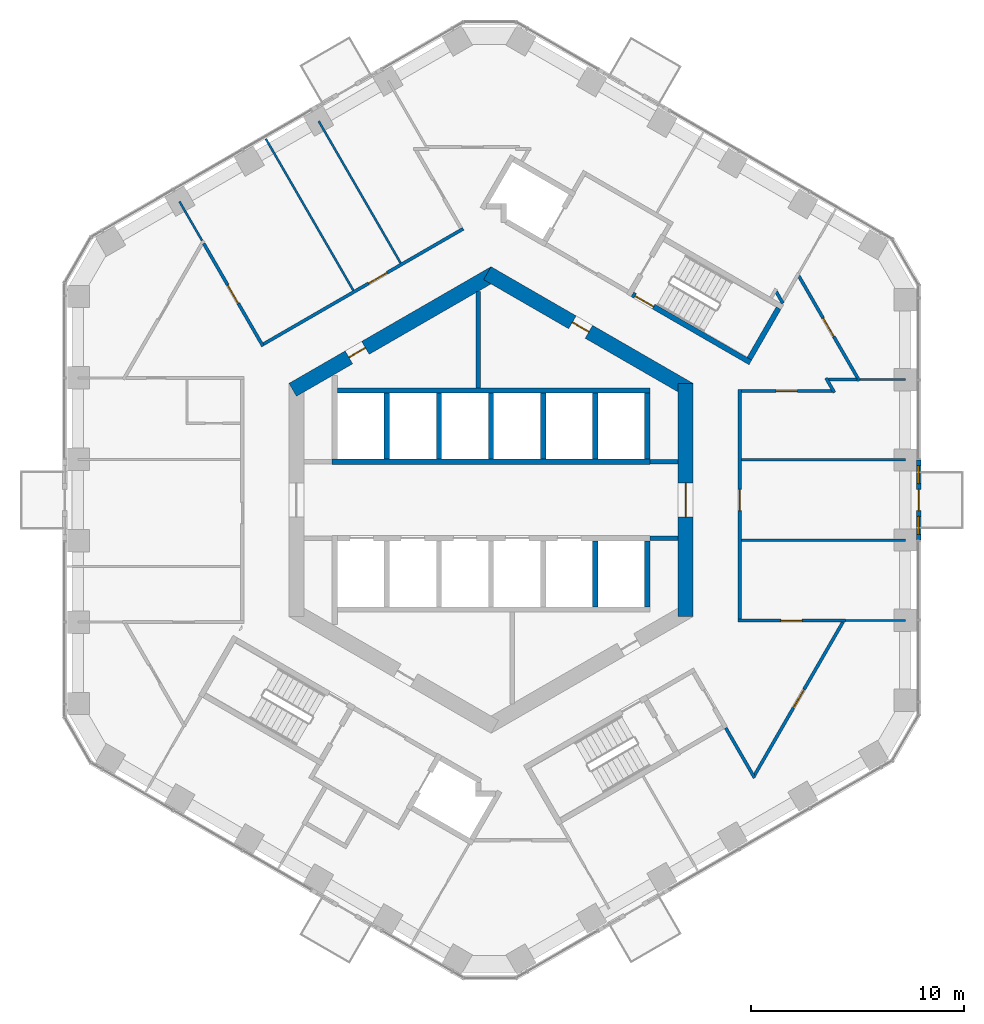
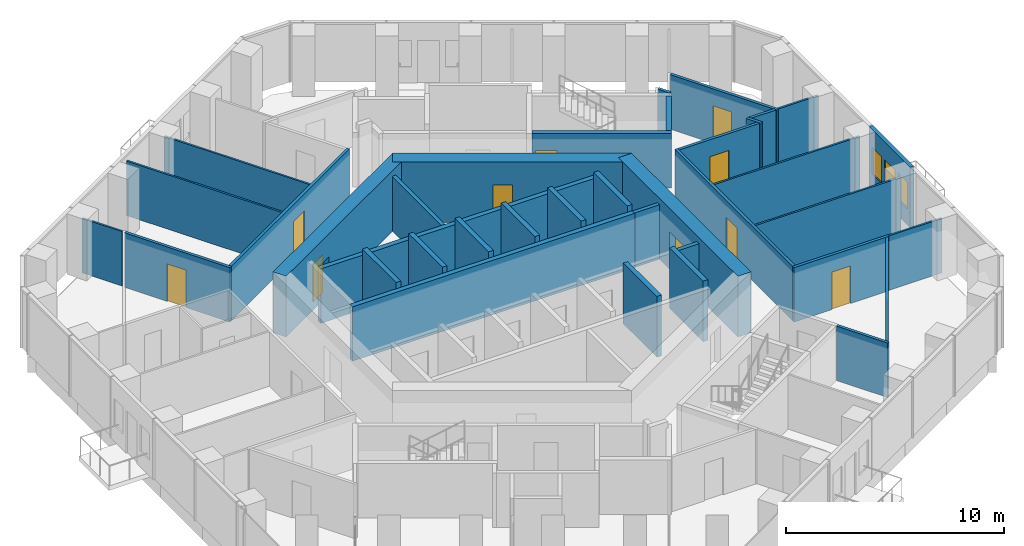
# One storey, part 15 of 20: 37 walls, 12 doors, 2 windows, 14 openings.
"""IFC4 building model written with IfcOpenShell, lengths in metres."""

from ifc_helpers import new_model, si_unit, direction, frame, frame_2d, origin, place, context, subcontext, project, spatial, rectangle, extrude, material, layer, layer_set, type_object, element, fill, save


model = new_model("IFC4")

# Units and contexts
model_context = context("Model", 3, precision=1e-05, world=origin(), true_north=direction((0.0, 1.0)))
body_context = subcontext(model_context, "Body", "Model", "MODEL_VIEW")
ifc_project = project(units=[si_unit("LENGTHUNIT", "METRE"), si_unit("AREAUNIT", "SQUARE_METRE"), si_unit("VOLUMEUNIT", "CUBIC_METRE"), si_unit("PLANEANGLEUNIT", "RADIAN"), si_unit("MASSUNIT", "GRAM", prefix="KILO")], contexts=[model_context])

# Site, building, storey
site_placement = place(None, origin())
site = spatial("IfcSite", under=ifc_project, at=site_placement, CompositionType="ELEMENT")
building_placement = place(site_placement, origin())
building = spatial("IfcBuilding", under=site, at=building_placement, Name="Ayvan Gate Tower", CompositionType="ELEMENT")
storey_placement = place(building_placement, frame((0.0, 0.0, 86.5)))
storey = spatial("IfcBuildingStorey", under=building, at=storey_placement, Name="L22", CompositionType="ELEMENT", Elevation=86.5)

# Wall, openings, door, windows
ifc_material_1 = material(Name="Insulated metal panel wall")
ifc_layer_1 = layer(ifc_material_1, 0.199951171875)
ifc_layer_set_1 = layer_set([ifc_layer_1], Name="Insulated metal panel wall")
wall_type_1 = type_object("IfcWallType", Name="Balcony door wall 200", PredefinedType="SOLIDWALL", material=ifc_layer_set_1)
wall_1_placement = place(storey_placement, frame((20.110595703125, -1.8828125, 0.0), z_axis=(0.0, 0.0, 1.0), x_axis=(0.0, 1.0, 0.0)))
wall_1 = element("IfcWall", 1, at=wall_1_placement, inside=storey, type_object=wall_type_1, Name="EW:L22:0:2", PredefinedType="SOLIDWALL", context=body_context, shape_type="SweptSolid", body=[
    extrude(rectangle(XDim=3.76611328125, YDim=0.199951171875, at=frame_2d((1.883056640625, 0.0))), origin(), (0.0, 0.0, 1.0), 3.39990234375),
])
opening_1_placement = place(wall_1_placement, frame((1.383056640625, 0.0, 0.0)))
opening_1 = element("IfcOpeningElement", 2, at=opening_1_placement, cuts=wall_1, Name="Opening L22-D90", PredefinedType="OPENING", context=body_context, shape_type="SweptSolid", body=[
    extrude(rectangle(XDim=1.0, YDim=2.39990234375, at=frame_2d((0.5, 1.199951171875))), frame((0.0, 0.10986328125, 0.0), z_axis=(0.0, -1.0, 0.0), x_axis=(1.0, 0.0, 0.0)), (0.0, 0.0, 1.0), 0.219970703125),
])
opening_2_placement = place(wall_1_placement, frame((0.2666015625, 0.0, 0.89990234375)))
opening_2 = element("IfcOpeningElement", 3, at=opening_2_placement, cuts=wall_1, Name="Opening W-B2", PredefinedType="OPENING", context=body_context, shape_type="SweptSolid", body=[
    extrude(rectangle(XDim=0.85009765625, YDim=1.5, at=frame_2d((0.425048828125, 0.75))), frame((0.0, 0.10986328125, 0.0), z_axis=(0.0, -1.0, 0.0), x_axis=(1.0, 0.0, 0.0)), (0.0, 0.0, 1.0), 0.219970703125),
])
opening_3_placement = place(wall_1_placement, frame((2.6494140625, 0.0, 0.89990234375)))
opening_3 = element("IfcOpeningElement", 4, at=opening_3_placement, cuts=wall_1, Name="Opening W-B2", PredefinedType="OPENING", context=body_context, shape_type="SweptSolid", body=[
    extrude(rectangle(XDim=0.85009765625, YDim=1.5, at=frame_2d((0.425048828125, 0.75))), frame((0.0, 0.10986328125, 0.0), z_axis=(0.0, -1.0, 0.0), x_axis=(1.0, 0.0, 0.0)), (0.0, 0.0, 1.0), 0.219970703125),
])
ifc_material_2 = material(Name="Bronze anodised aluminium and clear glass", Category="aluminium")
door_type_1 = type_object("IfcDoorType", Name="Balcony door D-B", OperationType="SINGLE_SWING_RIGHT", PredefinedType="DOOR", material=ifc_material_2)
door_1_placement = place(opening_1_placement, origin())
door_1 = element("IfcDoor", 5, at=door_1_placement, inside=storey, type_object=door_type_1, Name="Balcony door BAL-L22-0", OperationType="SINGLE_SWING_RIGHT", OverallHeight=2.39990234375, OverallWidth=1.0, PredefinedType="DOOR", context=body_context, shape_type="SweptSolid", body=[
    extrude(rectangle(XDim=1.0, YDim=2.39990234375, at=frame_2d((0.5, 1.199951171875))), frame((0.0, 0.02490234375, 0.0), z_axis=(0.0, -1.0, 0.0), x_axis=(1.0, 0.0, 0.0)), (0.0, 0.0, 1.0), 0.050048828125),
])
fill(opening_1, door_1)
window_type = type_object("IfcWindowType", Name="Balcony side light W-B Z2", PartitioningType="SINGLE_PANEL", PredefinedType="WINDOW", material=ifc_material_2)
window_1_placement = place(opening_2_placement, origin())
window_1 = element("IfcWindow", 6, at=window_1_placement, inside=storey, type_object=window_type, Name="Balcony side light BAL-L22-0.1", OverallHeight=1.5, OverallWidth=0.85009765625, PartitioningType="SINGLE_PANEL", PredefinedType="WINDOW", context=body_context, shape_type="SweptSolid", body=[
    extrude(rectangle(XDim=0.85009765625, YDim=1.5, at=frame_2d((0.425048828125, 0.75))), frame((0.0, 0.030029296875, 0.0), z_axis=(0.0, -1.0, 0.0), x_axis=(1.0, 0.0, 0.0)), (0.0, 0.0, 1.0), 0.06005859375),
])
fill(opening_2, window_1)
window_2_placement = place(opening_3_placement, origin())
window_2 = element("IfcWindow", 7, at=window_2_placement, inside=storey, type_object=window_type, Name="Balcony side light BAL-L22-0.2", OverallHeight=1.5, OverallWidth=0.85009765625, PartitioningType="SINGLE_PANEL", PredefinedType="WINDOW", context=body_context, shape_type="SweptSolid", body=[
    extrude(rectangle(XDim=0.85009765625, YDim=1.5, at=frame_2d((0.425048828125, 0.75))), frame((0.0, 0.030029296875, 0.0), z_axis=(0.0, -1.0, 0.0), x_axis=(1.0, 0.0, 0.0)), (0.0, 0.0, 1.0), 0.06005859375),
])
fill(opening_3, window_2)

# Wall, opening, door
ifc_material_3 = material(Name="Concrete C70/85", Category="concrete")
ifc_layer_2 = layer(ifc_material_3, 0.699951171875)
ifc_layer_set_2 = layer_set([ifc_layer_2], Name="Concrete C70/85")
wall_type_2 = type_object("IfcWallType", Name="Core wall 700 C70/85", PredefinedType="SHEAR", material=ifc_layer_set_2)
wall_2_placement = place(storey_placement, frame((9.14990234375, -5.48486328125, 0.0), z_axis=(0.0, 0.0, 1.0), x_axis=(0.0, 1.0, 0.0)))
wall_2 = element("IfcWall", 8, at=wall_2_placement, inside=storey, type_object=wall_type_2, Name="CORE-L22-0", PredefinedType="SHEAR", context=body_context, shape_type="SweptSolid", body=[
    extrude(rectangle(XDim=10.9697265625, YDim=0.699951171875, at=frame_2d((5.48486328125, 0.0))), origin(), (0.0, 0.0, 1.0), 3.39990234375),
])
opening_4_placement = place(wall_2_placement, frame((4.684814453125, 0.0, 0.0)))
opening_4 = element("IfcOpeningElement", 9, at=opening_4_placement, cuts=wall_2, Name="Opening L22-D100", PredefinedType="OPENING", context=body_context, shape_type="SweptSolid", body=[
    extrude(rectangle(XDim=1.60009765625, YDim=2.10009765625, at=frame_2d((0.800048828125, 1.050048828125))), frame((0.0, 0.35986328125, 0.0), z_axis=(0.0, -1.0, 0.0), x_axis=(1.0, 0.0, 0.0)), (0.0, 0.0, 1.0), 0.719970703125),
])
ifc_material_4 = material(Name="Timber door leaf", Category="wood")
door_type_2 = type_object("IfcDoorType", Name="DT-1600", OperationType="NOTDEFINED", PredefinedType="DOOR", material=ifc_material_4)
door_2_placement = place(opening_4_placement, origin())
door_2 = element("IfcDoor", 10, at=door_2_placement, inside=storey, type_object=door_type_2, Name="CD-L22-100", OperationType="SINGLE_SWING_RIGHT", OverallHeight=2.10009765625, OverallWidth=1.60009765625, PredefinedType="DOOR", context=body_context, shape_type="SweptSolid", body=[
    extrude(rectangle(XDim=1.60009765625, YDim=2.10009765625, at=frame_2d((0.800048828125, 1.050048828125))), frame((0.0, 0.02490234375, 0.0), z_axis=(0.0, -1.0, 0.0), x_axis=(1.0, 0.0, 0.0)), (0.0, 0.0, 1.0), 0.050048828125),
])
fill(opening_4, door_2)

wall_3_placement = place(storey_placement, frame((9.324951171875, 5.181640625, 0.0), z_axis=(0.0, 0.0, 1.0), x_axis=(-0.866023993627, 0.500002442456, 0.0)))
wall_3 = element("IfcWall", 11, at=wall_3_placement, inside=storey, type_object=wall_type_2, Name="CORE-L22-1", PredefinedType="SHEAR", context=body_context, shape_type="SweptSolid", body=[
    extrude(rectangle(XDim=10.9697265625, YDim=0.699951171875, at=frame_2d((5.48486328125, 0.0))), origin(), (0.0, 0.0, 1.0), 3.39990234375),
])
opening_5_placement = place(wall_3_placement, frame((5.451171875, 0.0, 0.0)))
opening_5 = element("IfcOpeningElement", 12, at=opening_5_placement, cuts=wall_3, Name="Opening L22-D97", PredefinedType="OPENING", context=body_context, shape_type="SweptSolid", body=[
    extrude(rectangle(XDim=0.89990234375, YDim=2.10009765625, at=frame_2d((0.449951171875, 1.050048828125))), frame((0.0, 0.35986328125, 0.0), z_axis=(0.0, -1.0, 0.0), x_axis=(1.0, 0.0, 0.0)), (0.0, 0.0, 1.0), 0.719970703125),
])
door_type_3 = type_object("IfcDoorType", Name="DT-900", OperationType="NOTDEFINED", PredefinedType="DOOR", material=ifc_material_4)
door_3_placement = place(opening_5_placement, origin())
door_3 = element("IfcDoor", 13, at=door_3_placement, inside=storey, type_object=door_type_3, Name="CD-L22-97", OperationType="SINGLE_SWING_LEFT", OverallHeight=2.10009765625, OverallWidth=0.89990234375, PredefinedType="DOOR", context=body_context, shape_type="SweptSolid", body=[
    extrude(rectangle(XDim=0.89990234375, YDim=2.10009765625, at=frame_2d((0.449951171875, 1.050048828125))), frame((0.0, 0.02490234375, 0.0), z_axis=(0.0, -1.0, 0.0), x_axis=(1.0, 0.0, 0.0)), (0.0, 0.0, 1.0), 0.050048828125),
])
fill(opening_5, door_3)

wall_4_placement = place(storey_placement, frame((0.175048828125, 10.66650390625, 0.0), z_axis=(0.0, 0.0, 1.0), x_axis=(-0.866023993627, -0.500002442456, 0.0)))
wall_4 = element("IfcWall", 14, at=wall_4_placement, inside=storey, type_object=wall_type_2, Name="CORE-L22-2", PredefinedType="SHEAR", context=body_context, shape_type="SweptSolid", body=[
    extrude(rectangle(XDim=10.9697265625, YDim=0.699951171875, at=frame_2d((5.48486328125, 0.0))), origin(), (0.0, 0.0, 1.0), 3.39990234375),
])
opening_6_placement = place(wall_4_placement, frame((7.021484375, 0.0, 0.0)))
opening_6 = element("IfcOpeningElement", 15, at=opening_6_placement, cuts=wall_4, Name="Opening L22-D96", PredefinedType="OPENING", context=body_context, shape_type="SweptSolid", body=[
    extrude(rectangle(XDim=0.89990234375, YDim=2.10009765625, at=frame_2d((0.449951171875, 1.050048828125))), frame((0.0, 0.35986328125, 0.0), z_axis=(0.0, -1.0, 0.0), x_axis=(1.0, 0.0, 0.0)), (0.0, 0.0, 1.0), 0.719970703125),
])
door_4_placement = place(opening_6_placement, origin())
door_4 = element("IfcDoor", 16, at=door_4_placement, inside=storey, type_object=door_type_3, Name="CD-L22-96", OperationType="SINGLE_SWING_RIGHT", OverallHeight=2.10009765625, OverallWidth=0.89990234375, PredefinedType="DOOR", context=body_context, shape_type="SweptSolid", body=[
    extrude(rectangle(XDim=0.89990234375, YDim=2.10009765625, at=frame_2d((0.449951171875, 1.050048828125))), frame((0.0, 0.02490234375, 0.0), z_axis=(0.0, -1.0, 0.0), x_axis=(1.0, 0.0, 0.0)), (0.0, 0.0, 1.0), 0.050048828125),
])
fill(opening_6, door_4)

ifc_material_5 = material(Name="Plasterboard on steel stud", Category="steel")
ifc_layer_3 = layer(ifc_material_5, 0.14990234375)
ifc_layer_set_3 = layer_set([ifc_layer_3], Name="Plasterboard on steel stud")
wall_type_3 = type_object("IfcWallType", Name="WT-CORR-150", PredefinedType="PARTITIONING", material=ifc_layer_set_3)
wall_5_placement = place(storey_placement, frame((-13.513671875, 12.06689453125, 0.0), z_axis=(0.0, 0.0, 1.0), x_axis=(0.499996303812, -0.866027537769, 0.0)))
wall_5 = element("IfcWall", 17, at=wall_5_placement, inside=storey, type_object=wall_type_3, Name="IW-L22-012", PredefinedType="PARTITIONING", context=body_context, shape_type="SweptSolid", body=[
    extrude(rectangle(XDim=5.58203125, YDim=0.14990234375, at=frame_2d((2.791015625, 0.0))), origin(), (0.0, 0.0, 1.0), 3.050048828125),
])
opening_7_placement = place(wall_5_placement, frame((2.253662109375, 0.0, 0.0)))
opening_7 = element("IfcOpeningElement", 18, at=opening_7_placement, cuts=wall_5, Name="Opening L22-D36", PredefinedType="OPENING", context=body_context, shape_type="SweptSolid", body=[
    extrude(rectangle(XDim=1.0, YDim=2.10009765625, at=frame_2d((0.5, 1.050048828125))), frame((0.0, 0.0849609375, 0.0), z_axis=(0.0, -1.0, 0.0), x_axis=(1.0, 0.0, 0.0)), (0.0, 0.0, 1.0), 0.169921875),
])
door_type_4 = type_object("IfcDoorType", Name="DT-1000", OperationType="NOTDEFINED", PredefinedType="DOOR", material=ifc_material_4)
door_5_placement = place(opening_7_placement, origin())
door_5 = element("IfcDoor", 19, at=door_5_placement, inside=storey, type_object=door_type_4, Name="ID-L22-036", OperationType="SINGLE_SWING_RIGHT", OverallHeight=2.10009765625, OverallWidth=1.0, PredefinedType="DOOR", context=body_context, shape_type="SweptSolid", body=[
    extrude(rectangle(XDim=1.0, YDim=2.10009765625, at=frame_2d((0.5, 1.050048828125))), frame((0.0, 0.02490234375, 0.0), z_axis=(0.0, -1.0, 0.0), x_axis=(1.0, 0.0, 0.0)), (0.0, 0.0, 1.0), 0.050048828125),
])
fill(opening_7, door_5)

wall_6_placement = place(storey_placement, frame((-10.695068359375, 7.335205078125, 0.0), z_axis=(0.0, 0.0, 1.0), x_axis=(0.866020922188, 0.500007762273, 0.0)))
wall_6 = element("IfcWall", 20, at=wall_6_placement, inside=storey, type_object=wall_type_3, Name="IW-L22-017", PredefinedType="PARTITIONING", context=body_context, shape_type="SweptSolid", body=[
    extrude(rectangle(XDim=10.839111328125, YDim=0.14990234375, at=frame_2d((5.41943359375, 0.0))), origin(), (0.0, 0.0, 1.0), 3.050048828125),
])
opening_8_placement = place(wall_6_placement, frame((5.699462890625, 0.0, 0.0)))
opening_8 = element("IfcOpeningElement", 21, at=opening_8_placement, cuts=wall_6, Name="Opening L22-D35", PredefinedType="OPENING", context=body_context, shape_type="SweptSolid", body=[
    extrude(rectangle(XDim=1.0, YDim=2.10009765625, at=frame_2d((0.5, 1.050048828125))), frame((0.0, 0.0849609375, 0.0), z_axis=(0.0, -1.0, 0.0), x_axis=(1.0, 0.0, 0.0)), (0.0, 0.0, 1.0), 0.169921875),
])
door_6_placement = place(opening_8_placement, origin())
door_6 = element("IfcDoor", 22, at=door_6_placement, inside=storey, type_object=door_type_4, Name="ID-L22-035", OperationType="SINGLE_SWING_LEFT", OverallHeight=2.10009765625, OverallWidth=1.0, PredefinedType="DOOR", context=body_context, shape_type="SweptSolid", body=[
    extrude(rectangle(XDim=1.0, YDim=2.10009765625, at=frame_2d((0.5, 1.050048828125))), frame((0.0, 0.02490234375, 0.0), z_axis=(0.0, -1.0, 0.0), x_axis=(1.0, 0.0, 0.0)), (0.0, 0.0, 1.0), 0.050048828125),
])
fill(opening_8, door_6)

wall_7_placement = place(storey_placement, frame((11.625, -5.669677734375, 0.0), z_axis=(0.0, 0.0, 1.0), x_axis=(1.0, 0.0, 0.0)))
wall_7 = element("IfcWall", 23, at=wall_7_placement, inside=storey, type_object=wall_type_3, Name="IW-L22-093", PredefinedType="PARTITIONING", context=body_context, shape_type="SweptSolid", body=[
    extrude(rectangle(XDim=5.039306640625, YDim=0.14990234375, at=frame_2d((2.51953125, 0.0))), origin(), (0.0, 0.0, 1.0), 3.050048828125),
])
opening_9_placement = place(wall_7_placement, frame((2.00244140625, 0.0, 0.0)))
opening_9 = element("IfcOpeningElement", 24, at=opening_9_placement, cuts=wall_7, Name="Opening L22-D17", PredefinedType="OPENING", context=body_context, shape_type="SweptSolid", body=[
    extrude(rectangle(XDim=1.0, YDim=2.10009765625, at=frame_2d((0.5, 1.050048828125))), frame((0.0, 0.0849609375, 0.0), z_axis=(0.0, -1.0, 0.0), x_axis=(1.0, 0.0, 0.0)), (0.0, 0.0, 1.0), 0.169921875),
])
door_7_placement = place(opening_9_placement, origin())
door_7 = element("IfcDoor", 25, at=door_7_placement, inside=storey, type_object=door_type_4, Name="ID-L22-017", OperationType="SINGLE_SWING_LEFT", OverallHeight=2.10009765625, OverallWidth=1.0, PredefinedType="DOOR", context=body_context, shape_type="SweptSolid", body=[
    extrude(rectangle(XDim=1.0, YDim=2.10009765625, at=frame_2d((0.5, 1.050048828125))), frame((0.0, 0.02490234375, 0.0), z_axis=(0.0, -1.0, 0.0), x_axis=(1.0, 0.0, 0.0)), (0.0, 0.0, 1.0), 0.050048828125),
])
fill(opening_9, door_7)

wall_8_placement = place(storey_placement, frame((11.699951171875, -5.5947265625, 0.0), z_axis=(0.0, 0.0, 1.0), x_axis=(0.0, 1.0, 0.0)))
wall_8 = element("IfcWall", 26, at=wall_8_placement, inside=storey, type_object=wall_type_3, Name="IW-L22-094", PredefinedType="PARTITIONING", context=body_context, shape_type="SweptSolid", body=[
    extrude(rectangle(XDim=10.789306640625, YDim=0.14990234375, at=frame_2d((5.39453125, 0.0))), origin(), (0.0, 0.0, 1.0), 3.050048828125),
])
opening_10_placement = place(wall_8_placement, frame((5.0947265625, 0.0, 0.0)))
opening_10 = element("IfcOpeningElement", 27, at=opening_10_placement, cuts=wall_8, Name="Opening L22-D18", PredefinedType="OPENING", context=body_context, shape_type="SweptSolid", body=[
    extrude(rectangle(XDim=1.0, YDim=2.10009765625, at=frame_2d((0.5, 1.050048828125))), frame((0.0, 0.0849609375, 0.0), z_axis=(0.0, -1.0, 0.0), x_axis=(1.0, 0.0, 0.0)), (0.0, 0.0, 1.0), 0.169921875),
])
door_8_placement = place(opening_10_placement, origin())
door_8 = element("IfcDoor", 28, at=door_8_placement, inside=storey, type_object=door_type_4, Name="ID-L22-018", OperationType="SINGLE_SWING_RIGHT", OverallHeight=2.10009765625, OverallWidth=1.0, PredefinedType="DOOR", context=body_context, shape_type="SweptSolid", body=[
    extrude(rectangle(XDim=1.0, YDim=2.10009765625, at=frame_2d((0.5, 1.050048828125))), frame((0.0, 0.02490234375, 0.0), z_axis=(0.0, -1.0, 0.0), x_axis=(1.0, 0.0, 0.0)), (0.0, 0.0, 1.0), 0.050048828125),
])
fill(opening_10, door_8)

# Walls
wall_9_placement = place(storey_placement, frame((12.393798828125, -13.066650390625, 0.0), z_axis=(0.0, 0.0, 1.0), x_axis=(-0.499971721724, 0.866041729639, 0.0)))
element("IfcWall", 29, at=wall_9_placement, inside=storey, type_object=wall_type_3, Name="IW-L22-098", PredefinedType="PARTITIONING", context=body_context, shape_type="SweptSolid", body=[
    extrude(rectangle(XDim=2.713134765625, YDim=0.14990234375, at=frame_2d((1.3564453125, 0.0))), origin(), (0.0, 0.0, 1.0), 3.050048828125),
])
wall_10_placement = place(storey_placement, frame((13.409423828125, 9.7958984375, 0.0), z_axis=(0.0, 0.0, 1.0), x_axis=(0.500232755635, -0.865890980545, 0.0)))
element("IfcWall", 30, at=wall_10_placement, inside=storey, type_object=wall_type_3, Name="IW-L22-100", PredefinedType="PARTITIONING", context=body_context, shape_type="SweptSolid", body=[
    extrude(rectangle(XDim=0.635009765625, YDim=0.14990234375, at=frame_2d((0.3173828125, 0.0))), origin(), (0.0, 0.0, 1.0), 3.050048828125),
])

# Wall, opening, door
wall_11_placement = place(storey_placement, frame((14.47216796875, 10.53662109375, 0.0), z_axis=(0.0, 0.0, 1.0), x_axis=(0.499998302717, -0.866026383709, 0.0)))
wall_11 = element("IfcWall", 31, at=wall_11_placement, inside=storey, type_object=wall_type_3, Name="IW-L22-104", PredefinedType="PARTITIONING", context=body_context, shape_type="SweptSolid", body=[
    extrude(rectangle(XDim=5.69482421875, YDim=0.14990234375, at=frame_2d((2.847412109375, 0.0))), origin(), (0.0, 0.0, 1.0), 3.050048828125),
])
opening_11_placement = place(wall_11_placement, frame((2.292724609375, 0.0, 0.0)))
opening_11 = element("IfcOpeningElement", 32, at=opening_11_placement, cuts=wall_11, Name="Opening L22-D20", PredefinedType="OPENING", context=body_context, shape_type="SweptSolid", body=[
    extrude(rectangle(XDim=1.0, YDim=2.10009765625, at=frame_2d((0.5, 1.050048828125))), frame((0.0, 0.0849609375, 0.0), z_axis=(0.0, -1.0, 0.0), x_axis=(1.0, 0.0, 0.0)), (0.0, 0.0, 1.0), 0.169921875),
])
door_9_placement = place(opening_11_placement, origin())
door_9 = element("IfcDoor", 33, at=door_9_placement, inside=storey, type_object=door_type_4, Name="ID-L22-020", OperationType="SINGLE_SWING_RIGHT", OverallHeight=2.10009765625, OverallWidth=1.0, PredefinedType="DOOR", context=body_context, shape_type="SweptSolid", body=[
    extrude(rectangle(XDim=1.0, YDim=2.10009765625, at=frame_2d((0.5, 1.050048828125))), frame((0.0, 0.02490234375, 0.0), z_axis=(0.0, -1.0, 0.0), x_axis=(1.0, 0.0, 0.0)), (0.0, 0.0, 1.0), 0.050048828125),
])
fill(opening_11, door_9)

# Wall
wall_12_placement = place(storey_placement, frame((15.75439453125, 5.734619140625, 0.0), z_axis=(0.0, 0.0, 1.0), x_axis=(0.500018540756, -0.866014699009, 0.0)))
element("IfcWall", 34, at=wall_12_placement, inside=storey, type_object=wall_type_3, Name="IW-L22-105", PredefinedType="PARTITIONING", context=body_context, shape_type="SweptSolid", body=[
    extrude(rectangle(XDim=0.78515625, YDim=0.14990234375, at=frame_2d((0.392578125, 0.0))), origin(), (0.0, 0.0, 1.0), 3.050048828125),
])

# Wall, opening, door
wall_13_placement = place(storey_placement, frame((16.034423828125, 5.11962890625, 0.0), z_axis=(0.0, 0.0, 1.0), x_axis=(-1.0, 0.0, 0.0)))
wall_13 = element("IfcWall", 35, at=wall_13_placement, inside=storey, type_object=wall_type_3, Name="IW-L22-106", PredefinedType="PARTITIONING", context=body_context, shape_type="SweptSolid", body=[
    extrude(rectangle(XDim=4.259521484375, YDim=0.14990234375, at=frame_2d((2.1298828125, 0.0))), origin(), (0.0, 0.0, 1.0), 3.050048828125),
])
opening_12_placement = place(wall_13_placement, frame((1.629638671875, 0.0, 0.0)))
opening_12 = element("IfcOpeningElement", 36, at=opening_12_placement, cuts=wall_13, Name="Opening L22-D19", PredefinedType="OPENING", context=body_context, shape_type="SweptSolid", body=[
    extrude(rectangle(XDim=1.0, YDim=2.10009765625, at=frame_2d((0.5, 1.050048828125))), frame((0.0, 0.0849609375, 0.0), z_axis=(0.0, -1.0, 0.0), x_axis=(1.0, 0.0, 0.0)), (0.0, 0.0, 1.0), 0.169921875),
])
door_10_placement = place(opening_12_placement, origin())
door_10 = element("IfcDoor", 37, at=door_10_placement, inside=storey, type_object=door_type_4, Name="ID-L22-019", OperationType="SINGLE_SWING_LEFT", OverallHeight=2.10009765625, OverallWidth=1.0, PredefinedType="DOOR", context=body_context, shape_type="SweptSolid", body=[
    extrude(rectangle(XDim=1.0, YDim=2.10009765625, at=frame_2d((0.5, 1.050048828125))), frame((0.0, 0.02490234375, 0.0), z_axis=(0.0, -1.0, 0.0), x_axis=(1.0, 0.0, 0.0)), (0.0, 0.0, 1.0), 0.050048828125),
])
fill(opening_12, door_10)

wall_14_placement = place(storey_placement, frame((16.552001953125, -5.734619140625, 0.0), z_axis=(0.0, 0.0, 1.0), x_axis=(-0.500003678222, -0.866023280152, 0.0)))
wall_14 = element("IfcWall", 38, at=wall_14_placement, inside=storey, type_object=wall_type_3, Name="IW-L22-107", PredefinedType="PARTITIONING", context=body_context, shape_type="SweptSolid", body=[
    extrude(rectangle(XDim=8.31640625, YDim=0.14990234375, at=frame_2d((4.158203125, 0.0))), origin(), (0.0, 0.0, 1.0), 3.050048828125),
])
opening_13_placement = place(wall_14_placement, frame((3.658203125, 0.0, 0.0)))
opening_13 = element("IfcOpeningElement", 39, at=opening_13_placement, cuts=wall_14, Name="Opening L22-D33", PredefinedType="OPENING", context=body_context, shape_type="SweptSolid", body=[
    extrude(rectangle(XDim=1.0, YDim=2.10009765625, at=frame_2d((0.5, 1.050048828125))), frame((0.0, 0.0849609375, 0.0), z_axis=(0.0, -1.0, 0.0), x_axis=(1.0, 0.0, 0.0)), (0.0, 0.0, 1.0), 0.169921875),
])
door_11_placement = place(opening_13_placement, origin())
door_11 = element("IfcDoor", 40, at=door_11_placement, inside=storey, type_object=door_type_4, Name="ID-L22-033", OperationType="SINGLE_SWING_LEFT", OverallHeight=2.10009765625, OverallWidth=1.0, PredefinedType="DOOR", context=body_context, shape_type="SweptSolid", body=[
    extrude(rectangle(XDim=1.0, YDim=2.10009765625, at=frame_2d((0.5, 1.050048828125))), frame((0.0, 0.02490234375, 0.0), z_axis=(0.0, -1.0, 0.0), x_axis=(1.0, 0.0, 0.0)), (0.0, 0.0, 1.0), 0.050048828125),
])
fill(opening_13, door_11)

# Walls
wall_15_placement = place(storey_placement, frame((17.207275390625, 5.669677734375, 0.0), z_axis=(0.0, 0.0, 1.0), x_axis=(-1.0, 0.0, 0.0)))
element("IfcWall", 41, at=wall_15_placement, inside=storey, type_object=wall_type_3, Name="IW-L22-108", PredefinedType="PARTITIONING", context=body_context, shape_type="SweptSolid", body=[
    extrude(rectangle(XDim=1.34033203125, YDim=0.14990234375, at=frame_2d((0.670166015625, 0.0))), origin(), (0.0, 0.0, 1.0), 3.050048828125),
])
ifc_layer_4 = layer(ifc_material_5, 0.10009765625)
ifc_layer_set_4 = layer_set([ifc_layer_4], Name="Plasterboard on steel stud")
wall_type_4 = type_object("IfcWallType", Name="WT-PART-100", PredefinedType="PARTITIONING", material=ifc_layer_set_4)
wall_16_placement = place(storey_placement, frame((-14.65283203125, 14.040283203125, 0.0), z_axis=(0.0, 0.0, 1.0), x_axis=(0.500000470374, -0.866025132214, 0.0)))
element("IfcWall", 42, at=wall_16_placement, inside=storey, type_object=wall_type_4, Name="IW-L22-004", PredefinedType="PARTITIONING", context=body_context, shape_type="SweptSolid", body=[
    extrude(rectangle(XDim=2.12841796875, YDim=0.10009765625, at=frame_2d((1.064208984375, 0.0))), origin(), (0.0, 0.0, 1.0), 3.050048828125),
])
wall_17_placement = place(storey_placement, frame((-6.476806640625, 9.857421875, 0.0), z_axis=(0.0, 0.0, 1.0), x_axis=(-0.499998876424, 0.86602605248, 0.0)))
element("IfcWall", 43, at=wall_17_placement, inside=storey, type_object=wall_type_4, Name="IW-L22-032", PredefinedType="PARTITIONING", context=body_context, shape_type="SweptSolid", body=[
    extrude(rectangle(XDim=8.2314453125, YDim=0.10009765625, at=frame_2d((4.11572265625, 0.0))), origin(), (0.0, 0.0, 1.0), 3.050048828125),
])
for number, where, z_axis, x_axis, name in (
    (44, (-4.250732421875, 11.142333984375, 0.0), (0.0, 0.0, 1.0), (-0.500021201058, 0.866013163002, 0.0), "IW-L22-038"),
    (45, (11.77490234375, -1.889892578125, 0.0), (0.0, 0.0, 1.0), (1.0, 0.0, 0.0), "IW-L22-095"),
    (46, (11.77490234375, 1.889892578125, 0.0), (0.0, 0.0, 1.0), (1.0, 0.0, 0.0), "IW-L22-096"),
):
    element("IfcWall", number, at=place(storey_placement, frame(where, z_axis=z_axis, x_axis=x_axis)), inside=storey, type_object=wall_type_4, Name=name, PredefinedType="PARTITIONING", context=body_context, shape_type="SweptSolid", body=[
        extrude(rectangle(XDim=7.710693359375, YDim=0.10009765625, at=frame_2d((3.85546875, 0.0))), origin(), (0.0, 0.0, 1.0), 3.050048828125),
    ])
wall_18_placement = place(storey_placement, frame((17.357177734375, 5.669677734375, 0.0), z_axis=(0.0, 0.0, 1.0), x_axis=(1.0, 0.0, 0.0)))
element("IfcWall", 47, at=wall_18_placement, inside=storey, type_object=wall_type_4, Name="IW-L22-109", PredefinedType="PARTITIONING", context=body_context, shape_type="SweptSolid", body=[
    extrude(rectangle(XDim=2.12841796875, YDim=0.10009765625, at=frame_2d((1.064208984375, 0.0))), origin(), (0.0, 0.0, 1.0), 3.050048828125),
])
wall_19_placement = place(storey_placement, frame((19.485595703125, -5.669677734375, 0.0), z_axis=(0.0, 0.0, 1.0), x_axis=(-1.0, 0.0, 0.0)))
element("IfcWall", 48, at=wall_19_placement, inside=storey, type_object=wall_type_4, Name="IW-L22-110", PredefinedType="PARTITIONING", context=body_context, shape_type="SweptSolid", body=[
    extrude(rectangle(XDim=2.8212890625, YDim=0.10009765625, at=frame_2d((1.41064453125, 0.0))), origin(), (0.0, 0.0, 1.0), 3.050048828125),
])
ifc_layer_5 = layer(ifc_material_5, 0.199951171875)
ifc_layer_set_5 = layer_set([ifc_layer_5], Name="Plasterboard on steel stud")
wall_type_5 = type_object("IfcWallType", Name="WT-RATED-200", PredefinedType="PARTITIONING", material=ifc_layer_set_5)
wall_20_placement = place(storey_placement, frame((-0.60009765625, 9.81494140625, 0.0), z_axis=(0.0, 0.0, 1.0), x_axis=(0.0, -1.0, 0.0)))
element("IfcWall", 49, at=wall_20_placement, inside=storey, type_object=wall_type_5, Name="IW-L22-054", PredefinedType="PARTITIONING", context=body_context, shape_type="SweptSolid", body=[
    extrude(rectangle(XDim=4.5400390625, YDim=0.199951171875, at=frame_2d((2.27001953125, 0.0))), origin(), (0.0, 0.0, 1.0), 3.050048828125),
])
for number, where, z_axis, x_axis, name in (
    (50, (7.474853515625, 1.800048828125, 0.0), (0.0, 0.0, 1.0), (1.0, 0.0, 0.0), "IW-L22-084"),
    (51, (8.800048828125, -1.800048828125, 0.0), (0.0, 0.0, 1.0), (-1.0, 0.0, 0.0), "IW-L22-090"),
):
    element("IfcWall", number, at=place(storey_placement, frame(where, z_axis=z_axis, x_axis=x_axis)), inside=storey, type_object=wall_type_5, Name=name, PredefinedType="PARTITIONING", context=body_context, shape_type="SweptSolid", body=[
        extrude(rectangle(XDim=1.3251953125, YDim=0.199951171875, at=frame_2d((0.66259765625, 0.0))), origin(), (0.0, 0.0, 1.0), 3.050048828125),
    ])
ifc_material_6 = material(Name="Concrete C50/60", Category="concrete")
ifc_layer_6 = layer(ifc_material_6, 0.25)
ifc_layer_set_6 = layer_set([ifc_layer_6], Name="Concrete C50/60")
wall_type_6 = type_object("IfcWallType", Name="WT-RC-250", PredefinedType="SHEAR", material=ifc_layer_set_6)
wall_21_placement = place(storey_placement, frame((-7.47509765625, 1.800048828125, 0.0), z_axis=(0.0, 0.0, 1.0), x_axis=(1.0, 0.0, 0.0)))
element("IfcWall", 52, at=wall_21_placement, inside=storey, type_object=wall_type_6, Name="IW-L22-024", PredefinedType="SHEAR", context=body_context, shape_type="SweptSolid", body=[
    extrude(rectangle(XDim=14.9501953125, YDim=0.25, at=frame_2d((7.47509765625, 0.0))), origin(), (0.0, 0.0, 1.0), 3.050048828125),
])
wall_22_placement = place(storey_placement, frame((-7.22509765625, 5.14990234375, 0.0), z_axis=(0.0, 0.0, 1.0), x_axis=(1.0, 0.0, 0.0)))
element("IfcWall", 53, at=wall_22_placement, inside=storey, type_object=wall_type_6, Name="IW-L22-027", PredefinedType="SHEAR", context=body_context, shape_type="SweptSolid", body=[
    extrude(rectangle(XDim=14.7001953125, YDim=0.25, at=frame_2d((7.35009765625, 0.0))), origin(), (0.0, 0.0, 1.0), 3.050048828125),
])
for number, where, z_axis, x_axis, name in (
    (54, (-4.89990234375, 5.02490234375, 0.0), (0.0, 0.0, 1.0), (0.0, -1.0, 0.0), "IW-L22-036"),
    (55, (-2.449951171875, 5.02490234375, 0.0), (0.0, 0.0, 1.0), (0.0, -1.0, 0.0), "IW-L22-048"),
    (56, (0.0, 5.02490234375, 0.0), (0.0, 0.0, 1.0), (0.0, -1.0, 0.0), "IW-L22-057"),
    (57, (2.449951171875, 5.02490234375, 0.0), (0.0, 0.0, 1.0), (0.0, -1.0, 0.0), "IW-L22-067"),
    (58, (4.89990234375, -1.925048828125, 0.0), (0.0, 0.0, 1.0), (0.0, -1.0, 0.0), "IW-L22-076"),
    (59, (4.89990234375, 5.02490234375, 0.0), (0.0, 0.0, 1.0), (0.0, -1.0, 0.0), "IW-L22-077"),
    (60, (7.35009765625, -1.925048828125, 0.0), (0.0, 0.0, 1.0), (0.0, -1.0, 0.0), "IW-L22-085"),
    (61, (7.35009765625, 5.02490234375, 0.0), (0.0, 0.0, 1.0), (0.0, -1.0, 0.0), "IW-L22-086"),
):
    element("IfcWall", number, at=place(storey_placement, frame(where, z_axis=z_axis, x_axis=x_axis)), inside=storey, type_object=wall_type_6, Name=name, PredefinedType="SHEAR", context=body_context, shape_type="SweptSolid", body=[
        extrude(rectangle(XDim=3.099853515625, YDim=0.25, at=frame_2d((1.5498046875, 0.0))), origin(), (0.0, 0.0, 1.0), 3.39990234375),
    ])

# Wall, opening, door
wall_23_placement = place(storey_placement, frame((12.193603515625, 6.469970703125, 0.0), z_axis=(0.0, 0.0, 1.0), x_axis=(-0.866025499775, 0.499999833739, 0.0)))
wall_23 = element("IfcWall", 62, at=wall_23_placement, inside=storey, type_object=wall_type_6, Name="IW-L22-097", PredefinedType="SHEAR", context=body_context, shape_type="SweptSolid", body=[
    extrude(rectangle(XDim=6.39990234375, YDim=0.25, at=frame_2d((3.199951171875, 0.0))), origin(), (0.0, 0.0, 1.0), 3.050048828125),
])
opening_14_placement = place(wall_23_placement, frame((5.25, 0.0, 0.0)))
opening_14 = element("IfcOpeningElement", 63, at=opening_14_placement, cuts=wall_23, Name="Opening L22-D06", PredefinedType="OPENING", context=body_context, shape_type="SweptSolid", body=[
    extrude(rectangle(XDim=1.0, YDim=2.10009765625, at=frame_2d((0.5, 1.050048828125))), frame((0.0, 0.135009765625, 0.0), z_axis=(0.0, -1.0, 0.0), x_axis=(1.0, 0.0, 0.0)), (0.0, 0.0, 1.0), 0.27001953125),
])
door_12_placement = place(opening_14_placement, origin())
door_12 = element("IfcDoor", 64, at=door_12_placement, inside=storey, type_object=door_type_4, Name="ID-L22-006", OperationType="SINGLE_SWING_RIGHT", OverallHeight=2.10009765625, OverallWidth=1.0, PredefinedType="DOOR", context=body_context, shape_type="SweptSolid", body=[
    extrude(rectangle(XDim=1.0, YDim=2.10009765625, at=frame_2d((0.5, 1.050048828125))), frame((0.0, 0.02490234375, 0.0), z_axis=(0.0, -1.0, 0.0), x_axis=(1.0, 0.0, 0.0)), (0.0, 0.0, 1.0), 0.050048828125),
])
fill(opening_14, door_12)

# Wall
wall_24_placement = place(storey_placement, frame((13.52294921875, 9.022216796875, 0.0), z_axis=(0.0, 0.0, 1.0), x_axis=(-0.500034990121, -0.866005201286, 0.0)))
element("IfcWall", 65, at=wall_24_placement, inside=storey, type_object=wall_type_6, Name="IW-L22-101", PredefinedType="SHEAR", context=body_context, shape_type="SweptSolid", body=[
    extrude(rectangle(XDim=2.749755859375, YDim=0.25, at=frame_2d((1.375, 0.0))), origin(), (0.0, 0.0, 1.0), 3.050048828125),
])

save(model, "model.ifc")
